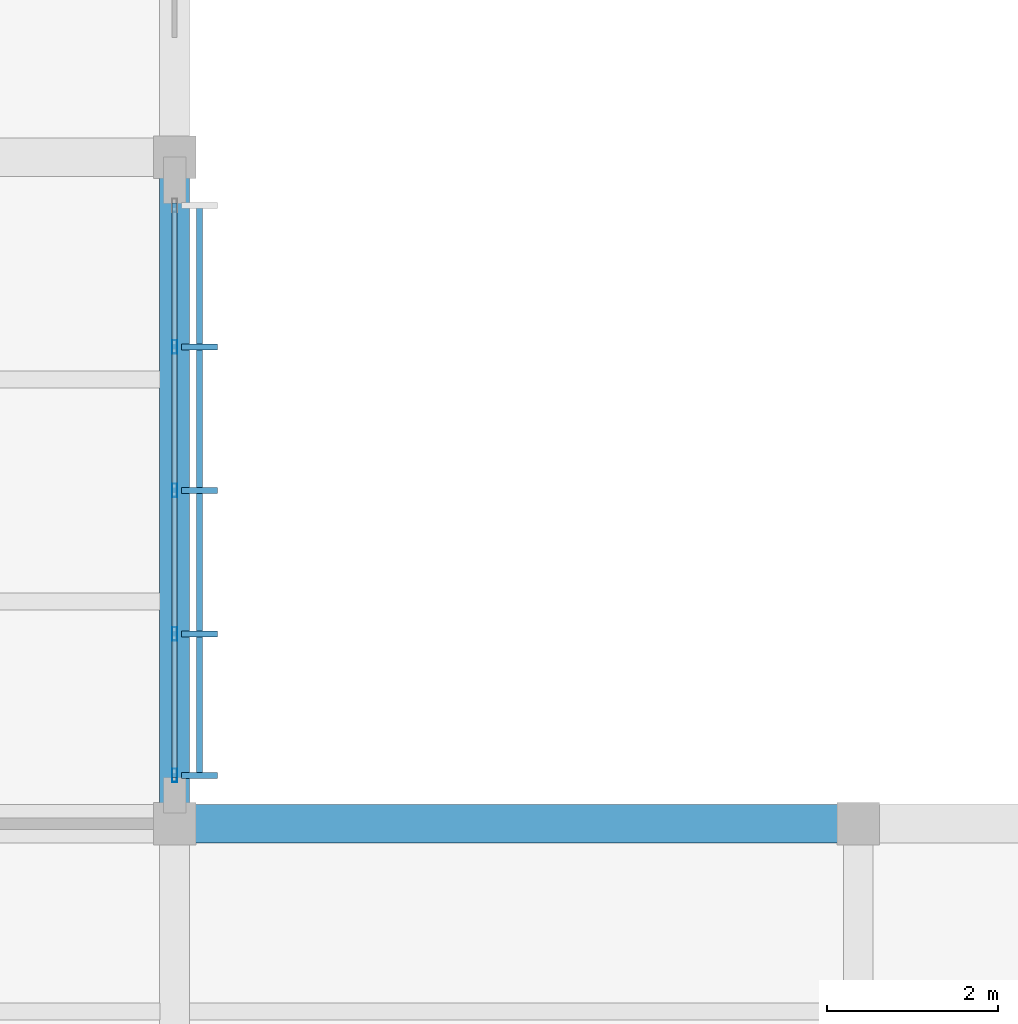
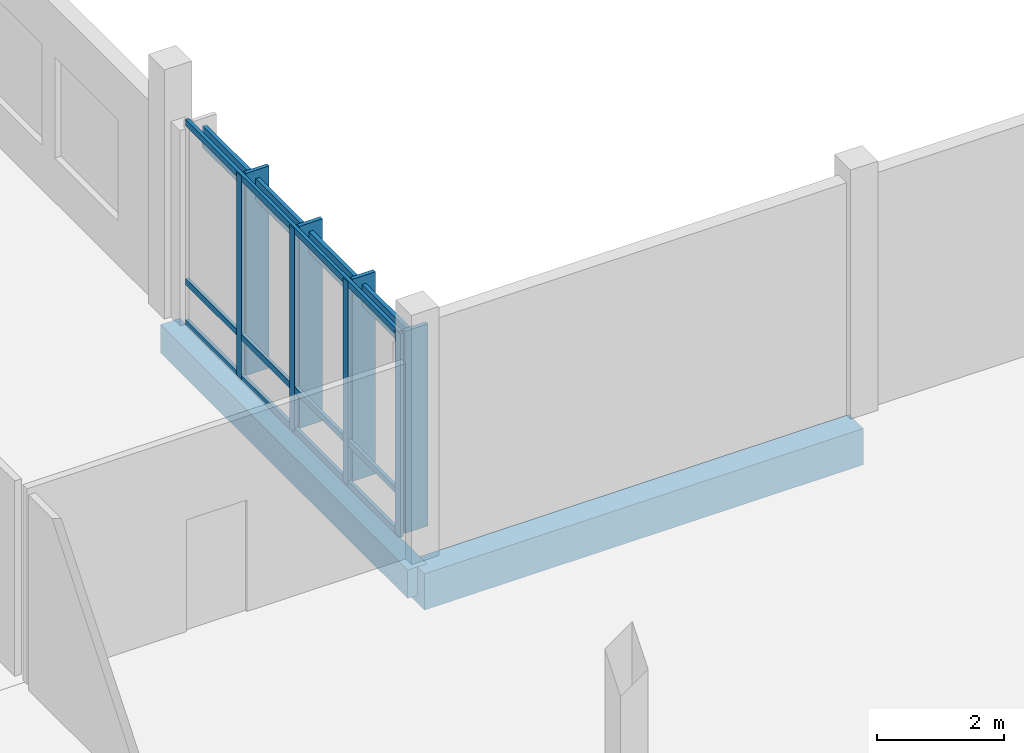
# One storey, part 43 of 177: 12 members, 2 beams, 1 element without a shape of its own.
"""IFC4 building model written with IfcOpenShell, lengths in metres."""

from ifc_helpers import new_model, si_unit, direction, frame, origin, origin_2d, place, context, subcontext, project, spatial, rectangle, hollow_rectangle, extrude, material, material_profile, profile_set, type_object, element, aggregate, save


model = new_model("IFC4")

# Units and contexts
model_context = context("Model", 3, precision=1e-05, world=origin(), true_north=direction((0.0, 1.0)))
body_context = subcontext(model_context, "Body", "Model", "MODEL_VIEW")
ifc_project = project(units=[si_unit("LENGTHUNIT", "METRE"), si_unit("AREAUNIT", "SQUARE_METRE"), si_unit("VOLUMEUNIT", "CUBIC_METRE"), si_unit("PLANEANGLEUNIT", "RADIAN"), si_unit("MASSUNIT", "GRAM", prefix="KILO")], contexts=[model_context])

# Site, building, storey
site_placement = place(None, origin())
site = spatial("IfcSite", under=ifc_project, at=site_placement, CompositionType="ELEMENT")
building_placement = place(site_placement, origin())
building = spatial("IfcBuilding", under=site, at=building_placement, Name="Chiffa Square Polytechnic", CompositionType="ELEMENT")
storey_placement = place(building_placement, frame((0.0, 0.0, 4.800048828125)))
storey = spatial("IfcBuildingStorey", under=building, at=storey_placement, Name="L01", CompositionType="ELEMENT", Elevation=4.800048828125)

# Beams
ifc_material_1 = material(Name="Concrete C35/45", Category="concrete")
ifc_material_profile_1 = material_profile(ifc_material_1, rectangle(XDim=0.35009765625, YDim=0.550048828125, at=origin_2d()), Name="RC 350x550")
ifc_profile_set_1 = profile_set([ifc_material_profile_1], Name="Concrete C35/45")
beam_type_1 = type_object("IfcBeamType", Name="BM-RC-350X550", PredefinedType="BEAM", material=ifc_profile_set_1)
beam_1_placement = place(storey_placement, frame((32.0, 57.60009765625, -0.554931640625), z_axis=(0.0, 1.0, 0.0), x_axis=(-1.0, 0.0, 0.0)))
element("IfcBeam", 1, at=beam_1_placement, inside=storey, type_object=beam_type_1, Name="Primary floor girder BM-V6-L01-Y-0320-0576", PredefinedType="BEAM", context=body_context, shape_type="SweptSolid", body=[
    extrude(rectangle(XDim=0.35009765625, YDim=0.550048828125, at=origin_2d()), origin(), (0.0, 0.0, 1.0), 7.7998046875),
])
ifc_material_profile_2 = material_profile(ifc_material_1, rectangle(XDim=0.449951171875, YDim=0.699951171875, at=origin_2d()), Name="RC 450x700")
ifc_profile_set_2 = profile_set([ifc_material_profile_2], Name="Concrete C35/45")
beam_type_2 = type_object("IfcBeamType", Name="BM-RC-450X700", PredefinedType="BEAM", material=ifc_profile_set_2)
beam_2_placement = place(storey_placement, frame((32.0, 57.60009765625, -0.630126953125), z_axis=(1.0, 0.0, 0.0), x_axis=(0.0, 1.0, 0.0)))
element("IfcBeam", 2, at=beam_2_placement, inside=storey, type_object=beam_type_2, Name="Primary floor girder BM-V6-L01-X-0320-0576", PredefinedType="BEAM", context=body_context, shape_type="SweptSolid", body=[
    extrude(rectangle(XDim=0.449951171875, YDim=0.699951171875, at=origin_2d()), origin(), (0.0, 0.0, 1.0), 8.0),
])

# Curtain wall, members
ifc_material_2 = material(Name="Aluminium EN AW-6060 T66 and glulam shading", Category="wood")
curtain_wall_type = type_object("IfcCurtainWallType", Name="CW-VERT-540X440", PredefinedType="USERDEFINED", material=ifc_material_2)
curtain_wall_placement = place(storey_placement, origin())
curtain_wall = element("IfcCurtainWall", 3, at=curtain_wall_placement, inside=storey, type_object=curtain_wall_type, Name="Curtain wall CW-V6-L01-255", ObjectType="CURTAIN WALL", PredefinedType="USERDEFINED")
ifc_material_3 = material(Name="Aluminium EN AW-6060 T66", Category="aluminium")
ifc_material_profile_3 = material_profile(ifc_material_3, hollow_rectangle(XDim=0.06005859375, YDim=0.159912109375, WallThickness=0.00390625, at=origin_2d()), Name="ALU 60x160x4")
ifc_profile_set_3 = profile_set([ifc_material_profile_3], Name="Aluminium EN AW-6060 T66")
member_type_1 = type_object("IfcMemberType", Name="CWM-ALU-65X150", PredefinedType="MULLION", material=ifc_profile_set_3)
member_1_placement = place(storey_placement, frame((32.0, 58.1650390625, 0.0), z_axis=(0.0, 0.0, 1.0), x_axis=(1.0, 0.0, 0.0)))
member_1 = element("IfcMember", 4, at=member_1_placement, type_object=member_type_1, Name="Curtain wall mullion CW-V6-L01-255-M00", PredefinedType="MULLION", context=body_context, shape_type="SweptSolid", body=[
    extrude(hollow_rectangle(XDim=0.06005859375, YDim=0.159912109375, WallThickness=0.00390625, at=origin_2d()), origin(), (0.0, 0.0, 1.0), 3.9150390625),
])
member_2_placement = place(storey_placement, frame((32.0, 59.820068359375, 0.0), z_axis=(0.0, 0.0, 1.0), x_axis=(1.0, 0.0, 0.0)))
member_2 = element("IfcMember", 5, at=member_2_placement, type_object=member_type_1, Name="Curtain wall mullion CW-V6-L01-255-M01", PredefinedType="MULLION", context=body_context, shape_type="SweptSolid", body=[
    extrude(hollow_rectangle(XDim=0.06005859375, YDim=0.159912109375, WallThickness=0.00390625, at=origin_2d()), origin(), (0.0, 0.0, 1.0), 3.9150390625),
])
member_3_placement = place(storey_placement, frame((32.0, 61.5, 0.0), z_axis=(0.0, 0.0, 1.0), x_axis=(1.0, 0.0, 0.0)))
member_3 = element("IfcMember", 6, at=member_3_placement, type_object=member_type_1, Name="Curtain wall mullion CW-V6-L01-255-M02", PredefinedType="MULLION", context=body_context, shape_type="SweptSolid", body=[
    extrude(hollow_rectangle(XDim=0.06005859375, YDim=0.159912109375, WallThickness=0.00390625, at=origin_2d()), origin(), (0.0, 0.0, 1.0), 3.9150390625),
])
member_4_placement = place(storey_placement, frame((32.0, 63.179931640625, 0.0), z_axis=(0.0, 0.0, 1.0), x_axis=(1.0, 0.0, 0.0)))
member_4 = element("IfcMember", 7, at=member_4_placement, type_object=member_type_1, Name="Curtain wall mullion CW-V6-L01-255-M03", PredefinedType="MULLION", context=body_context, shape_type="SweptSolid", body=[
    extrude(hollow_rectangle(XDim=0.06005859375, YDim=0.159912109375, WallThickness=0.00390625, at=origin_2d()), origin(), (0.0, 0.0, 1.0), 3.9150390625),
])
ifc_material_4 = material(Name="Glulam GL28h", Category="wood")
ifc_material_profile_4 = material_profile(ifc_material_4, rectangle(XDim=0.070068359375, YDim=0.419921875, at=origin_2d()), Name="GL28h 70x420")
ifc_profile_set_4 = profile_set([ifc_material_profile_4], Name="Glulam GL28h")
member_type_2 = type_object("IfcMemberType", Name="CWM-GL-70X420", PredefinedType="MULLION", material=ifc_profile_set_4)
member_5_placement = place(storey_placement, frame((32.2919921875, 58.1650390625, 0.010009765625), z_axis=(0.0, 0.0, 1.0), x_axis=(0.0, 1.0, 0.0)))
member_5 = element("IfcMember", 8, at=member_5_placement, type_object=member_type_2, Name="Exterior glulam solar fin CW-V6-L01-255-FN00", PredefinedType="MULLION", context=body_context, shape_type="SweptSolid", body=[
    extrude(rectangle(XDim=0.070068359375, YDim=0.419921875, at=origin_2d()), origin(), (0.0, 0.0, 1.0), 3.89501953125),
])
member_6_placement = place(storey_placement, frame((32.2919921875, 59.820068359375, 0.010009765625), z_axis=(0.0, 0.0, 1.0), x_axis=(0.0, 1.0, 0.0)))
member_6 = element("IfcMember", 9, at=member_6_placement, type_object=member_type_2, Name="Exterior glulam solar fin CW-V6-L01-255-FN01", PredefinedType="MULLION", context=body_context, shape_type="SweptSolid", body=[
    extrude(rectangle(XDim=0.070068359375, YDim=0.419921875, at=origin_2d()), origin(), (0.0, 0.0, 1.0), 3.89501953125),
])
member_7_placement = place(storey_placement, frame((32.2919921875, 61.5, 0.010009765625), z_axis=(0.0, 0.0, 1.0), x_axis=(0.0, 1.0, 0.0)))
member_7 = element("IfcMember", 10, at=member_7_placement, type_object=member_type_2, Name="Exterior glulam solar fin CW-V6-L01-255-FN02", PredefinedType="MULLION", context=body_context, shape_type="SweptSolid", body=[
    extrude(rectangle(XDim=0.070068359375, YDim=0.419921875, at=origin_2d()), origin(), (0.0, 0.0, 1.0), 3.89501953125),
])
member_8_placement = place(storey_placement, frame((32.2919921875, 63.179931640625, 0.010009765625), z_axis=(0.0, 0.0, 1.0), x_axis=(0.0, 1.0, 0.0)))
member_8 = element("IfcMember", 11, at=member_8_placement, type_object=member_type_2, Name="Exterior glulam solar fin CW-V6-L01-255-FN03", PredefinedType="MULLION", context=body_context, shape_type="SweptSolid", body=[
    extrude(rectangle(XDim=0.070068359375, YDim=0.419921875, at=origin_2d()), origin(), (0.0, 0.0, 1.0), 3.89501953125),
])
ifc_material_profile_5 = material_profile(ifc_material_3, hollow_rectangle(XDim=0.06005859375, YDim=0.1201171875, WallThickness=0.00390625, at=origin_2d()), Name="ALU 60x120x4")
ifc_profile_set_5 = profile_set([ifc_material_profile_5], Name="Aluminium EN AW-6060 T66")
member_type_3 = type_object("IfcMemberType", Name="CWT-ALU-65X120", PredefinedType="USERDEFINED", material=ifc_profile_set_5)
member_9_placement = place(storey_placement, frame((32.0, 58.137939453125, 0.030029296875), z_axis=(0.0, 1.0, 0.0), x_axis=(-1.0, 0.0, 0.0)))
member_9 = element("IfcMember", 12, at=member_9_placement, type_object=member_type_3, Name="Curtain wall transom CW-V6-L01-255-T01", ObjectType="TRANSOM", PredefinedType="USERDEFINED", context=body_context, shape_type="SweptSolid", body=[
    extrude(hollow_rectangle(XDim=0.06005859375, YDim=0.1201171875, WallThickness=0.00390625, at=origin_2d()), origin(), (0.0, 0.0, 1.0), 6.72412109375),
])
member_10_placement = place(storey_placement, frame((32.0, 58.137939453125, 0.820068359375), z_axis=(0.0, 1.0, 0.0), x_axis=(-1.0, 0.0, 0.0)))
member_10 = element("IfcMember", 13, at=member_10_placement, type_object=member_type_3, Name="Curtain wall transom CW-V6-L01-255-T02", ObjectType="TRANSOM", PredefinedType="USERDEFINED", context=body_context, shape_type="SweptSolid", body=[
    extrude(hollow_rectangle(XDim=0.06005859375, YDim=0.1201171875, WallThickness=0.00390625, at=origin_2d()), origin(), (0.0, 0.0, 1.0), 6.72412109375),
])
member_11_placement = place(storey_placement, frame((32.0, 58.137939453125, 3.885009765625), z_axis=(0.0, 1.0, 0.0), x_axis=(-1.0, 0.0, 0.0)))
member_11 = element("IfcMember", 14, at=member_11_placement, type_object=member_type_3, Name="Curtain wall transom CW-V6-L01-255-T03", ObjectType="TRANSOM", PredefinedType="USERDEFINED", context=body_context, shape_type="SweptSolid", body=[
    extrude(hollow_rectangle(XDim=0.06005859375, YDim=0.1201171875, WallThickness=0.00390625, at=origin_2d()), origin(), (0.0, 0.0, 1.0), 6.72412109375),
])
ifc_material_profile_6 = material_profile(ifc_material_4, rectangle(XDim=0.070068359375, YDim=0.419921875, at=origin_2d()), Name="GL28h 70x420")
ifc_profile_set_6 = profile_set([ifc_material_profile_6], Name="Glulam GL28h")
member_type_4 = type_object("IfcMemberType", Name="CWT-GL-70X420", PredefinedType="USERDEFINED", material=ifc_profile_set_6)
member_12_placement = place(storey_placement, frame((32.2919921875, 58.1650390625, 3.534912109375), z_axis=(0.0, 1.0, 0.0), x_axis=(-1.0, 0.0, 0.0)))
member_12 = element("IfcMember", 15, at=member_12_placement, type_object=member_type_4, Name="Exterior glulam brise-soleil CW-V6-L01-255-BS01", ObjectType="TRANSOM", PredefinedType="USERDEFINED", context=body_context, shape_type="SweptSolid", body=[
    extrude(rectangle(XDim=0.070068359375, YDim=0.419921875, at=origin_2d()), origin(), (0.0, 0.0, 1.0), 6.669921875),
])
aggregate(curtain_wall, [member_1, member_5, member_2, member_6, member_3, member_7, member_4, member_8, member_9, member_10, member_11, member_12])

save(model, "model.ifc")
